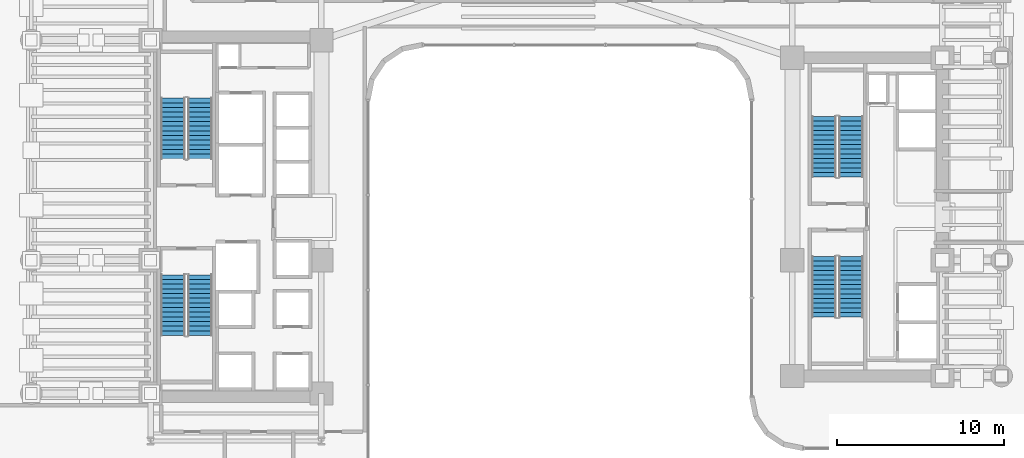
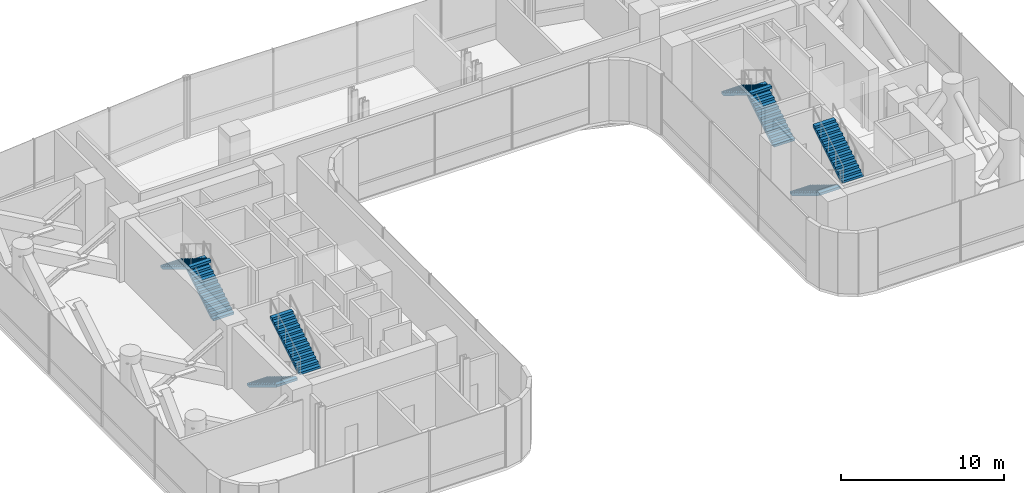
# One storey, part 36 of 39: 8 stair flights, 4 elements without a shape of their own.
"""IFC4 building model written with IfcOpenShell, lengths in metres."""

from ifc_helpers import new_model, si_unit, direction, frame, origin, place, context, subcontext, project, spatial, polyline, outline, extrude, material, type_object, element, aggregate, save


model = new_model("IFC4")

# Units and contexts
model_context = context("Model", 3, precision=1e-05, world=origin(), true_north=direction((0.0, 1.0)))
body_context = subcontext(model_context, "Body", "Model", "MODEL_VIEW")
ifc_project = project(units=[si_unit("LENGTHUNIT", "METRE"), si_unit("AREAUNIT", "SQUARE_METRE"), si_unit("VOLUMEUNIT", "CUBIC_METRE"), si_unit("PLANEANGLEUNIT", "RADIAN"), si_unit("MASSUNIT", "GRAM", prefix="KILO")], contexts=[model_context])

# Site, building, storey
site_placement = place(None, origin())
site = spatial("IfcSite", under=ifc_project, at=site_placement, CompositionType="ELEMENT")
building_placement = place(site_placement, origin())
building = spatial("IfcBuilding", under=site, at=building_placement, Name="Valdorenza Pilgrim Sanctuary Tower", CompositionType="ELEMENT")
storey_placement = place(building_placement, frame((0.0, 0.0, 96.300048828125)))
storey = spatial("IfcBuildingStorey", under=building, at=storey_placement, Name="L24", CompositionType="ELEMENT", Elevation=96.300048828125)

# Stair, stair flights
ifc_material = material(Name="Concrete C40/50", Category="concrete")
stair_type = type_object("IfcStairType", Name="STR-DOG-CORE", PredefinedType="HALF_TURN_STAIR", material=ifc_material)
stair_1_placement = place(storey_placement, origin())
stair_1 = element("IfcStair", 1, at=stair_1_placement, inside=storey, type_object=stair_type, Name="L24 ST-A1", PredefinedType="HALF_TURN_STAIR")
stair_flight_type = type_object("IfcStairFlightType", Name="STF-RC-1400", PredefinedType="STRAIGHT", material=ifc_material)
stair_flight_1_placement = place(storey_placement, frame((-19.679931640625, 3.47998046875, 0.0), z_axis=(0.0, 0.0, 1.0), x_axis=(0.0, 1.0, 0.0)))
stair_flight_1 = element("IfcStairFlight", 2, at=stair_flight_1_placement, type_object=stair_flight_type, Name="ST-A1 flight 1", NumberOfRisers=14, NumberOfTreads=13, PredefinedType="STRAIGHT", RiserHeight=0.171428571, TreadLength=0.28, context=body_context, shape_type="SweptSolid", body=[
    extrude(outline(polyline([(0.0, 0.0), (0.0, 0.17138671875), (0.280029296875, 0.17138671875), (0.280029296875, 0.3427734375), (0.56005859375, 0.3427734375), (0.56005859375, 0.514404296875), (0.840087890625, 0.514404296875), (0.840087890625, 0.685791015625), (1.1201171875, 0.685791015625), (1.1201171875, 0.857177734375), (1.39990234375, 0.857177734375), (1.39990234375, 1.028564453125), (1.679931640625, 1.028564453125), (1.679931640625, 1.199951171875), (1.9599609375, 1.199951171875), (1.9599609375, 1.371337890625), (2.239990234375, 1.371337890625), (2.239990234375, 1.54296875), (2.52001953125, 1.54296875), (2.52001953125, 1.71435546875), (2.800048828125, 1.71435546875), (2.800048828125, 1.8857421875), (3.080078125, 1.8857421875), (3.080078125, 2.05712890625), (3.360107421875, 2.05712890625), (3.360107421875, 2.228515625), (3.639892578125, 2.228515625), (3.639892578125, 2.39990234375), (3.639892578125, 2.052734375), (0.287109375, 0.0), (0.0, 0.0)])), frame((0.0, 0.739990234375, 0.0), z_axis=(0.0, -1.0, 0.0), x_axis=(1.0, 0.0, 0.0)), (0.0, 0.0, 1.0), 1.47998046875),
])
stair_flight_2_placement = place(storey_placement, frame((-21.31005859375, 7.1201171875, 2.39990234375), z_axis=(0.0, 0.0, 1.0), x_axis=(0.0, -1.0, 0.0)))
stair_flight_2 = element("IfcStairFlight", 3, at=stair_flight_2_placement, type_object=stair_flight_type, Name="ST-A1 flight 2", NumberOfRisers=14, NumberOfTreads=13, PredefinedType="STRAIGHT", RiserHeight=0.171428571, TreadLength=0.28, context=body_context, shape_type="SweptSolid", body=[
    extrude(outline(polyline([(0.0, 0.0), (0.0, 0.17138671875), (0.280029296875, 0.17138671875), (0.280029296875, 0.3427734375), (0.56005859375, 0.3427734375), (0.56005859375, 0.514404296875), (0.840087890625, 0.514404296875), (0.840087890625, 0.685791015625), (1.1201171875, 0.685791015625), (1.1201171875, 0.857177734375), (1.39990234375, 0.857177734375), (1.39990234375, 1.028564453125), (1.679931640625, 1.028564453125), (1.679931640625, 1.199951171875), (1.9599609375, 1.199951171875), (1.9599609375, 1.371337890625), (2.239990234375, 1.371337890625), (2.239990234375, 1.54296875), (2.52001953125, 1.54296875), (2.52001953125, 1.71435546875), (2.800048828125, 1.71435546875), (2.800048828125, 1.8857421875), (3.080078125, 1.8857421875), (3.080078125, 2.05712890625), (3.360107421875, 2.05712890625), (3.360107421875, 2.228515625), (3.639892578125, 2.228515625), (3.639892578125, 2.39990234375), (3.639892578125, 2.052734375), (0.287109375, 0.0), (0.0, 0.0)])), frame((0.0, 0.739990234375, 0.0), z_axis=(0.0, -1.0, 0.0), x_axis=(1.0, 0.0, 0.0)), (0.0, 0.0, 1.0), 1.47998046875),
])
aggregate(stair_1, [stair_flight_1, stair_flight_2])

stair_2_placement = place(storey_placement, origin())
stair_2 = element("IfcStair", 4, at=stair_2_placement, inside=storey, type_object=stair_type, Name="L24 ST-A2", PredefinedType="HALF_TURN_STAIR")
stair_flight_3_placement = place(storey_placement, frame((-21.31005859375, -3.47998046875, 0.0), z_axis=(0.0, 0.0, 1.0), x_axis=(0.0, -1.0, 0.0)))
stair_flight_3 = element("IfcStairFlight", 5, at=stair_flight_3_placement, type_object=stair_flight_type, Name="ST-A2 flight 1", NumberOfRisers=14, NumberOfTreads=13, PredefinedType="STRAIGHT", RiserHeight=0.171428571, TreadLength=0.28, context=body_context, shape_type="SweptSolid", body=[
    extrude(outline(polyline([(0.0, 0.0), (0.0, 0.17138671875), (0.280029296875, 0.17138671875), (0.280029296875, 0.3427734375), (0.56005859375, 0.3427734375), (0.56005859375, 0.514404296875), (0.840087890625, 0.514404296875), (0.840087890625, 0.685791015625), (1.1201171875, 0.685791015625), (1.1201171875, 0.857177734375), (1.39990234375, 0.857177734375), (1.39990234375, 1.028564453125), (1.679931640625, 1.028564453125), (1.679931640625, 1.199951171875), (1.9599609375, 1.199951171875), (1.9599609375, 1.371337890625), (2.239990234375, 1.371337890625), (2.239990234375, 1.54296875), (2.52001953125, 1.54296875), (2.52001953125, 1.71435546875), (2.800048828125, 1.71435546875), (2.800048828125, 1.8857421875), (3.080078125, 1.8857421875), (3.080078125, 2.05712890625), (3.360107421875, 2.05712890625), (3.360107421875, 2.228515625), (3.639892578125, 2.228515625), (3.639892578125, 2.39990234375), (3.639892578125, 2.052734375), (0.287109375, 0.0), (0.0, 0.0)])), frame((0.0, 0.739990234375, 0.0), z_axis=(0.0, -1.0, 0.0), x_axis=(1.0, 0.0, 0.0)), (0.0, 0.0, 1.0), 1.47998046875),
])
stair_flight_4_placement = place(storey_placement, frame((-19.679931640625, -7.1201171875, 2.39990234375), z_axis=(0.0, 0.0, 1.0), x_axis=(0.0, 1.0, 0.0)))
stair_flight_4 = element("IfcStairFlight", 6, at=stair_flight_4_placement, type_object=stair_flight_type, Name="ST-A2 flight 2", NumberOfRisers=14, NumberOfTreads=13, PredefinedType="STRAIGHT", RiserHeight=0.171428571, TreadLength=0.28, context=body_context, shape_type="SweptSolid", body=[
    extrude(outline(polyline([(0.0, 0.0), (0.0, 0.17138671875), (0.280029296875, 0.17138671875), (0.280029296875, 0.3427734375), (0.56005859375, 0.3427734375), (0.56005859375, 0.514404296875), (0.840087890625, 0.514404296875), (0.840087890625, 0.685791015625), (1.1201171875, 0.685791015625), (1.1201171875, 0.857177734375), (1.39990234375, 0.857177734375), (1.39990234375, 1.028564453125), (1.679931640625, 1.028564453125), (1.679931640625, 1.199951171875), (1.9599609375, 1.199951171875), (1.9599609375, 1.371337890625), (2.239990234375, 1.371337890625), (2.239990234375, 1.54296875), (2.52001953125, 1.54296875), (2.52001953125, 1.71435546875), (2.800048828125, 1.71435546875), (2.800048828125, 1.8857421875), (3.080078125, 1.8857421875), (3.080078125, 2.05712890625), (3.360107421875, 2.05712890625), (3.360107421875, 2.228515625), (3.639892578125, 2.228515625), (3.639892578125, 2.39990234375), (3.639892578125, 2.052734375), (0.287109375, 0.0), (0.0, 0.0)])), frame((0.0, 0.739990234375, 0.0), z_axis=(0.0, -1.0, 0.0), x_axis=(1.0, 0.0, 0.0)), (0.0, 0.0, 1.0), 1.47998046875),
])
aggregate(stair_2, [stair_flight_3, stair_flight_4])

stair_3_placement = place(storey_placement, origin())
stair_3 = element("IfcStair", 7, at=stair_3_placement, inside=storey, type_object=stair_type, Name="L24 ST-B1", PredefinedType="HALF_TURN_STAIR")
stair_flight_5_placement = place(storey_placement, frame((19.3701171875, 2.3798828125, 0.0), z_axis=(0.0, 0.0, 1.0), x_axis=(0.0, 1.0, 0.0)))
stair_flight_5 = element("IfcStairFlight", 8, at=stair_flight_5_placement, type_object=stair_flight_type, Name="ST-B1 flight 1", NumberOfRisers=14, NumberOfTreads=13, PredefinedType="STRAIGHT", RiserHeight=0.171428571, TreadLength=0.28, context=body_context, shape_type="SweptSolid", body=[
    extrude(outline(polyline([(0.0, 0.0), (0.0, 0.17138671875), (0.280029296875, 0.17138671875), (0.280029296875, 0.3427734375), (0.56005859375, 0.3427734375), (0.56005859375, 0.514404296875), (0.840087890625, 0.514404296875), (0.840087890625, 0.685791015625), (1.1201171875, 0.685791015625), (1.1201171875, 0.857177734375), (1.39990234375, 0.857177734375), (1.39990234375, 1.028564453125), (1.679931640625, 1.028564453125), (1.679931640625, 1.199951171875), (1.9599609375, 1.199951171875), (1.9599609375, 1.371337890625), (2.239990234375, 1.371337890625), (2.239990234375, 1.54296875), (2.52001953125, 1.54296875), (2.52001953125, 1.71435546875), (2.800048828125, 1.71435546875), (2.800048828125, 1.8857421875), (3.080078125, 1.8857421875), (3.080078125, 2.05712890625), (3.360107421875, 2.05712890625), (3.360107421875, 2.228515625), (3.639892578125, 2.228515625), (3.639892578125, 2.39990234375), (3.639892578125, 2.052734375), (0.287109375, 0.0), (0.0, 0.0)])), frame((0.0, 0.739990234375, 0.0), z_axis=(0.0, -1.0, 0.0), x_axis=(1.0, 0.0, 0.0)), (0.0, 0.0, 1.0), 1.47998046875),
])
stair_flight_6_placement = place(storey_placement, frame((17.739990234375, 6.02001953125, 2.39990234375), z_axis=(0.0, 0.0, 1.0), x_axis=(0.0, -1.0, 0.0)))
stair_flight_6 = element("IfcStairFlight", 9, at=stair_flight_6_placement, type_object=stair_flight_type, Name="ST-B1 flight 2", NumberOfRisers=14, NumberOfTreads=13, PredefinedType="STRAIGHT", RiserHeight=0.171428571, TreadLength=0.28, context=body_context, shape_type="SweptSolid", body=[
    extrude(outline(polyline([(0.0, 0.0), (0.0, 0.17138671875), (0.280029296875, 0.17138671875), (0.280029296875, 0.3427734375), (0.56005859375, 0.3427734375), (0.56005859375, 0.514404296875), (0.840087890625, 0.514404296875), (0.840087890625, 0.685791015625), (1.1201171875, 0.685791015625), (1.1201171875, 0.857177734375), (1.39990234375, 0.857177734375), (1.39990234375, 1.028564453125), (1.679931640625, 1.028564453125), (1.679931640625, 1.199951171875), (1.9599609375, 1.199951171875), (1.9599609375, 1.371337890625), (2.239990234375, 1.371337890625), (2.239990234375, 1.54296875), (2.52001953125, 1.54296875), (2.52001953125, 1.71435546875), (2.800048828125, 1.71435546875), (2.800048828125, 1.8857421875), (3.080078125, 1.8857421875), (3.080078125, 2.05712890625), (3.360107421875, 2.05712890625), (3.360107421875, 2.228515625), (3.639892578125, 2.228515625), (3.639892578125, 2.39990234375), (3.639892578125, 2.052734375), (0.287109375, 0.0), (0.0, 0.0)])), frame((0.0, 0.739990234375, 0.0), z_axis=(0.0, -1.0, 0.0), x_axis=(1.0, 0.0, 0.0)), (0.0, 0.0, 1.0), 1.47998046875),
])
aggregate(stair_3, [stair_flight_5, stair_flight_6])

stair_4_placement = place(storey_placement, origin())
stair_4 = element("IfcStair", 10, at=stair_4_placement, inside=storey, type_object=stair_type, Name="L24 ST-B2", PredefinedType="HALF_TURN_STAIR")
stair_flight_7_placement = place(storey_placement, frame((17.739990234375, -2.3798828125, 0.0), z_axis=(0.0, 0.0, 1.0), x_axis=(0.0, -1.0, 0.0)))
stair_flight_7 = element("IfcStairFlight", 11, at=stair_flight_7_placement, type_object=stair_flight_type, Name="ST-B2 flight 1", NumberOfRisers=14, NumberOfTreads=13, PredefinedType="STRAIGHT", RiserHeight=0.171428571, TreadLength=0.28, context=body_context, shape_type="SweptSolid", body=[
    extrude(outline(polyline([(0.0, 0.0), (0.0, 0.17138671875), (0.280029296875, 0.17138671875), (0.280029296875, 0.3427734375), (0.56005859375, 0.3427734375), (0.56005859375, 0.514404296875), (0.840087890625, 0.514404296875), (0.840087890625, 0.685791015625), (1.1201171875, 0.685791015625), (1.1201171875, 0.857177734375), (1.39990234375, 0.857177734375), (1.39990234375, 1.028564453125), (1.679931640625, 1.028564453125), (1.679931640625, 1.199951171875), (1.9599609375, 1.199951171875), (1.9599609375, 1.371337890625), (2.239990234375, 1.371337890625), (2.239990234375, 1.54296875), (2.52001953125, 1.54296875), (2.52001953125, 1.71435546875), (2.800048828125, 1.71435546875), (2.800048828125, 1.8857421875), (3.080078125, 1.8857421875), (3.080078125, 2.05712890625), (3.360107421875, 2.05712890625), (3.360107421875, 2.228515625), (3.639892578125, 2.228515625), (3.639892578125, 2.39990234375), (3.639892578125, 2.052734375), (0.287109375, 0.0), (0.0, 0.0)])), frame((0.0, 0.739990234375, 0.0), z_axis=(0.0, -1.0, 0.0), x_axis=(1.0, 0.0, 0.0)), (0.0, 0.0, 1.0), 1.47998046875),
])
stair_flight_8_placement = place(storey_placement, frame((19.3701171875, -6.02001953125, 2.39990234375), z_axis=(0.0, 0.0, 1.0), x_axis=(0.0, 1.0, 0.0)))
stair_flight_8 = element("IfcStairFlight", 12, at=stair_flight_8_placement, type_object=stair_flight_type, Name="ST-B2 flight 2", NumberOfRisers=14, NumberOfTreads=13, PredefinedType="STRAIGHT", RiserHeight=0.171428571, TreadLength=0.28, context=body_context, shape_type="SweptSolid", body=[
    extrude(outline(polyline([(0.0, 0.0), (0.0, 0.17138671875), (0.280029296875, 0.17138671875), (0.280029296875, 0.3427734375), (0.56005859375, 0.3427734375), (0.56005859375, 0.514404296875), (0.840087890625, 0.514404296875), (0.840087890625, 0.685791015625), (1.1201171875, 0.685791015625), (1.1201171875, 0.857177734375), (1.39990234375, 0.857177734375), (1.39990234375, 1.028564453125), (1.679931640625, 1.028564453125), (1.679931640625, 1.199951171875), (1.9599609375, 1.199951171875), (1.9599609375, 1.371337890625), (2.239990234375, 1.371337890625), (2.239990234375, 1.54296875), (2.52001953125, 1.54296875), (2.52001953125, 1.71435546875), (2.800048828125, 1.71435546875), (2.800048828125, 1.8857421875), (3.080078125, 1.8857421875), (3.080078125, 2.05712890625), (3.360107421875, 2.05712890625), (3.360107421875, 2.228515625), (3.639892578125, 2.228515625), (3.639892578125, 2.39990234375), (3.639892578125, 2.052734375), (0.287109375, 0.0), (0.0, 0.0)])), frame((0.0, 0.739990234375, 0.0), z_axis=(0.0, -1.0, 0.0), x_axis=(1.0, 0.0, 0.0)), (0.0, 0.0, 1.0), 1.47998046875),
])
aggregate(stair_4, [stair_flight_7, stair_flight_8])

save(model, "model.ifc")
